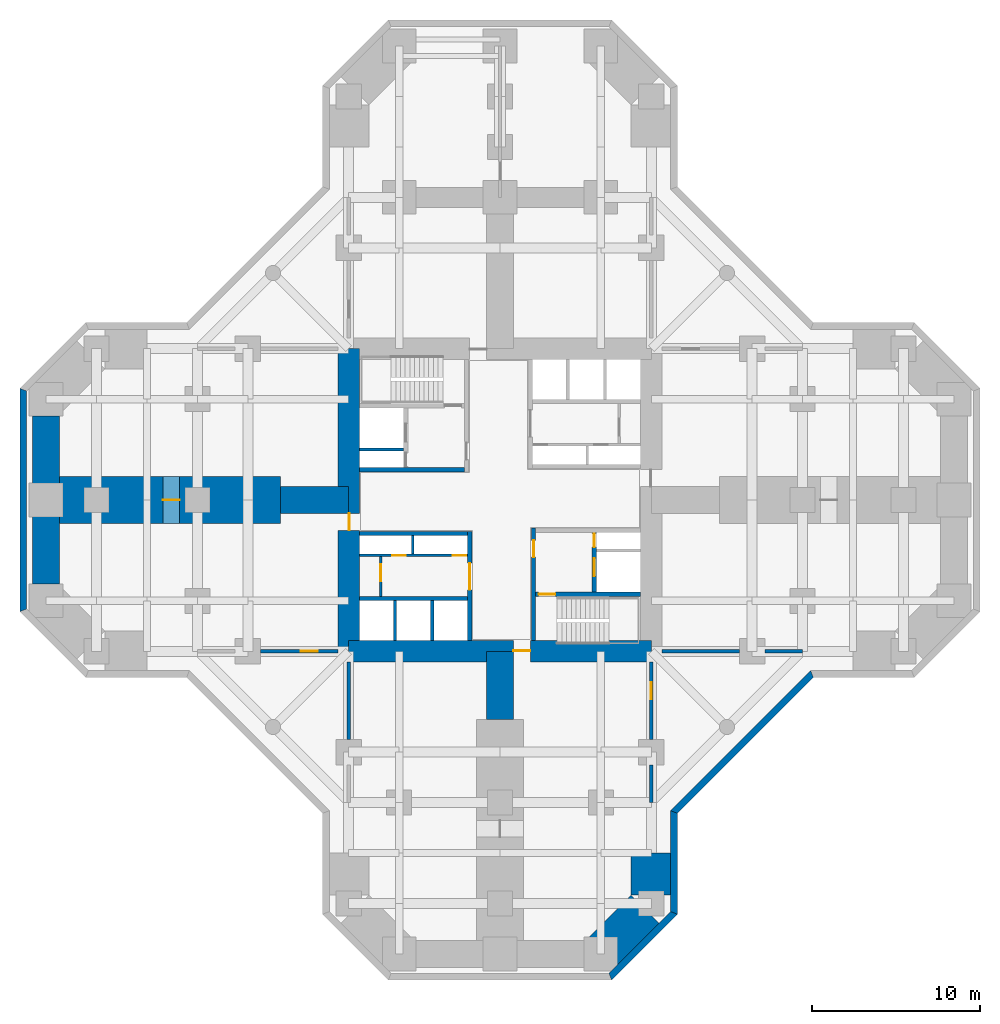
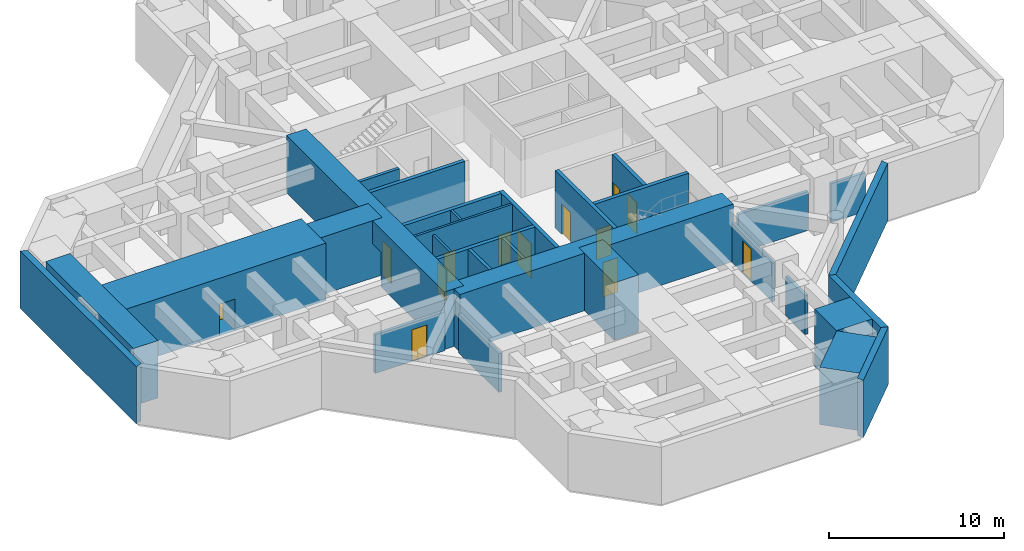
# One storey, part 3 of 6: 31 walls, 13 doors, 13 openings.
"""IFC4 building model written with IfcOpenShell, lengths in metres."""

import ifcopenshell
import ifcopenshell.guid

model = None  # the IFC model being written
_history = None  # IfcOwnerHistory: only IFC2X3 demands one
_inside = {}  # id of a spatial element -> (the spatial element, [elements in it])
_under = {}  # id of a project, library or spatial element -> (it, [spatial elements below it])
_declared = {}  # id of a project -> (the project, [libraries it declares])
_typed = {}  # id of a type object -> (the type object, [elements of that type])
_made_of = {}  # id of a material, layer set ... -> (it, [elements and type objects made of it])


def new_model(schema):
    """Start an empty IFC model of exactly this schema.

    Asked for "IFC4X3", IfcOpenShell would pick the latest addendum, in which some entities
    have other attributes; the version numbers below select the first issue.
    IFC2X3 requires an IfcOwnerHistory on every rooted entity: one is made here for all.
    """
    global model, _history
    if schema == "IFC4X3":
        model = ifcopenshell.file(schema_version=(4, 3, 0, 0))
    else:
        model = ifcopenshell.file(schema=schema)
    _inside.clear()
    _under.clear()
    _declared.clear()
    _typed.clear()
    _made_of.clear()
    _history = None
    if model.schema == "IFC2X3":
        org = make("IfcOrganization", Name="unknown")
        user = make(
            "IfcPersonAndOrganization",
            ThePerson=make("IfcPerson", FamilyName="unknown"),
            TheOrganization=org,
        )
        app = make(
            "IfcApplication",
            ApplicationDeveloper=org,
            Version="unknown",
            ApplicationFullName="unknown",
            ApplicationIdentifier="unknown",
        )
        _history = make(
            "IfcOwnerHistory",
            OwningUser=user,
            OwningApplication=app,
            ChangeAction="ADDED",
            CreationDate=0,
        )
    return model


def make(cls, **values):
    """One entity of the class cls with the attributes given. An attribute that is None is left unset."""
    return model.create_entity(
        cls, **{name: value for name, value in values.items() if value is not None}
    )


def rooted(cls, **values):
    """An entity with a GlobalId (a new one), such as an element, a storey or a relation."""
    return make(cls, GlobalId=ifcopenshell.guid.new(), OwnerHistory=_history, **values)


def si_unit(unit_type, name, prefix=None):
    """IfcSIUnit, for example si_unit("LENGTHUNIT", "METRE", prefix="MILLI")."""
    return make("IfcSIUnit", UnitType=unit_type, Prefix=prefix, Name=name)


def assignment(units):
    """IfcUnitAssignment: the units of a project."""
    return None if units is None else make("IfcUnitAssignment", Units=units)


def point(xyz):
    """IfcCartesianPoint."""
    return None if xyz is None else make("IfcCartesianPoint", Coordinates=xyz)


def direction(xyz):
    """IfcDirection."""
    return None if xyz is None else make("IfcDirection", DirectionRatios=xyz)


def frame(location, z_axis=None, x_axis=None):
    """IfcAxis2Placement3D, a coordinate frame: its origin and axes. An axis left out is left unset."""
    return make(
        "IfcAxis2Placement3D",
        Location=point(location),
        Axis=direction(z_axis),
        RefDirection=direction(x_axis),
    )


def frame_2d(location, x_axis=None):
    """IfcAxis2Placement2D, a coordinate frame in the plane: its origin and x axis."""
    return make(
        "IfcAxis2Placement2D", Location=point(location), RefDirection=direction(x_axis)
    )


def origin():
    """The frame at (0, 0, 0) with its axes left unset."""
    return frame((0.0, 0.0, 0.0))


def place(relative_to, where):
    """IfcLocalPlacement: puts the frame where relative to a parent placement (None: the world)."""
    return make(
        "IfcLocalPlacement", PlacementRelTo=relative_to, RelativePlacement=where
    )


def context(
    kind, dimensions, precision=None, world=None, true_north=None, identifier=None
):
    """IfcGeometricRepresentationContext, for example the 3D "Model" context."""
    return make(
        "IfcGeometricRepresentationContext",
        ContextIdentifier=identifier,
        ContextType=kind,
        CoordinateSpaceDimension=dimensions,
        Precision=precision,
        WorldCoordinateSystem=world,
        TrueNorth=true_north,
    )


def subcontext(parent, identifier, kind, view, scale=None):
    """IfcGeometricRepresentationSubContext, for example "Body" below "Model"."""
    return make(
        "IfcGeometricRepresentationSubContext",
        ContextIdentifier=identifier,
        ContextType=kind,
        ParentContext=parent,
        TargetScale=scale,
        TargetView=view,
    )


def project(units=None, contexts=None):
    """IfcProject with its units and contexts."""
    return rooted(
        "IfcProject",
        Name="project",
        RepresentationContexts=contexts,
        UnitsInContext=assignment(units),
    )


def spatial(cls, under=None, at=None, **own):
    """A site, building, storey or space (cls), placed at a placement, below another one or the project."""
    s = rooted(cls, ObjectPlacement=at, **own)
    if under is not None:
        _under.setdefault(under.id(), (under, []))[1].append(s)
    return s


def polyline(points):
    """IfcPolyline through the points."""
    return make("IfcPolyline", Points=[point(p) for p in points])


def profile(cls, at=None, kind="AREA", **sizes):
    """A parametric profile (cls). Its sizes go by their IFC names, for example OverallWidth=200.0."""
    return make(cls, ProfileType=kind, Position=at, **sizes)


def rectangle(**sizes):
    """IfcRectangleProfileDef."""
    return profile("IfcRectangleProfileDef", **sizes)


def outline(outer, holes=None, kind="AREA"):
    """IfcArbitraryClosedProfileDef: a profile drawn as a closed curve; with holes, ...WithVoids."""
    if holes is None:
        return make("IfcArbitraryClosedProfileDef", ProfileType=kind, OuterCurve=outer)
    return make(
        "IfcArbitraryProfileDefWithVoids",
        ProfileType=kind,
        OuterCurve=outer,
        InnerCurves=holes,
    )


def extrude(swept, where, along, depth):
    """IfcExtrudedAreaSolid: the profile swept, set in the frame where, extruded along a direction by depth."""
    return make(
        "IfcExtrudedAreaSolid",
        SweptArea=swept,
        Position=where,
        ExtrudedDirection=direction(along),
        Depth=depth,
    )


def shape(context_of_items, identifier, shape_type, items):
    """IfcShapeRepresentation: the items that make up one representation, for example the "Body"."""
    return make(
        "IfcShapeRepresentation",
        ContextOfItems=context_of_items,
        RepresentationIdentifier=identifier,
        RepresentationType=shape_type,
        Items=items,
    )


def material(Name=None, Category=None):
    """IfcMaterial."""
    return make("IfcMaterial", Name=Name, Category=Category)


def layer(
    of_material, thickness, ventilated=None, Name=None, Category=None, Priority=None
):
    """IfcMaterialLayer: one layer of a wall or slab, of a material (None: an air gap)."""
    return make(
        "IfcMaterialLayer",
        Material=of_material,
        LayerThickness=thickness,
        IsVentilated=ventilated,
        Name=Name,
        Category=Category,
        Priority=Priority,
    )


def layer_set(layers, Name=None):
    """IfcMaterialLayerSet."""
    return make("IfcMaterialLayerSet", MaterialLayers=layers, LayerSetName=Name)


def constituent(of_material, Name=None, Category=None, fraction=None):
    """IfcMaterialConstituent: one of the materials an element consists of."""
    return make(
        "IfcMaterialConstituent",
        Name=Name,
        Material=of_material,
        Fraction=fraction,
        Category=Category,
    )


def constituent_set(constituents=None, Name=None):
    """IfcMaterialConstituentSet."""
    return make(
        "IfcMaterialConstituentSet", Name=Name, MaterialConstituents=constituents
    )


def made_of(thing, what):
    """Note that an element or type object is made of a material, layer set ...; save() writes the relation."""
    if what is not None:
        _made_of.setdefault(what.id(), (what, []))[1].append(thing)
    return thing


def type_object(cls, material=None, **own):
    """A type object (cls), such as IfcWallType, which elements share."""
    return made_of(rooted(cls, **own), material)


def element(
    cls,
    number,
    at=None,
    inside=None,
    cuts=None,
    type_object=None,
    material=None,
    context=None,
    identifier="Body",
    shape_type=None,
    held_by="IfcProductDefinitionShape",
    body=None,
    shapes=None,
    **own,
):
    """One element of the class cls, such as IfcWall. Its Tag is "e" and its number.

    at: its placement. inside: the storey or other place that contains it. cuts: it is an
    opening in that element (IfcRelVoidsElement). A single representation is given by context,
    identifier, shape_type and body (its items); several are given by shapes. held_by: the class
    of the entity that holds the representations. save() writes the other relations.
    """
    e = rooted(cls, Tag="e%d" % number, ObjectPlacement=at, **own)
    if body is not None:
        shapes = [shape(context, identifier, shape_type, body)]
    if shapes is not None:
        e.Representation = make(held_by, Representations=shapes)
    if inside is not None:
        _inside.setdefault(inside.id(), (inside, []))[1].append(e)
    if cuts is not None:
        rooted(
            "IfcRelVoidsElement", RelatingBuildingElement=cuts, RelatedOpeningElement=e
        )
    if type_object is not None:
        _typed.setdefault(type_object.id(), (type_object, []))[1].append(e)
    return made_of(e, material)


def fill(opening, filler):
    """IfcRelFillsElement: the door or window that sits in an opening."""
    return rooted(
        "IfcRelFillsElement",
        RelatingOpeningElement=opening,
        RelatedBuildingElement=filler,
    )


def aggregate(whole, parts):
    """IfcRelAggregates: a whole, such as a stair, and the parts it consists of."""
    return rooted("IfcRelAggregates", RelatingObject=whole, RelatedObjects=parts)


def save(model, path):
    """Write the relations noted so far, then the file.

    IfcRelAggregates (storeys below a building ...), IfcRelContainedInSpatialStructure (elements
    in a storey), IfcRelDefinesByType, IfcRelAssociatesMaterial and IfcRelDeclares: one each for
    every whole, place, type object, material and project.
    """
    for whole, parts in _under.values():
        aggregate(whole, parts)
    for where, things in _inside.values():
        rooted(
            "IfcRelContainedInSpatialStructure",
            RelatedElements=things,
            RelatingStructure=where,
        )
    for kind, things in _typed.values():
        rooted("IfcRelDefinesByType", RelatedObjects=things, RelatingType=kind)
    for what, things in _made_of.values():
        rooted("IfcRelAssociatesMaterial", RelatedObjects=things, RelatingMaterial=what)
    for by, libraries in _declared.values():
        rooted("IfcRelDeclares", RelatingContext=by, RelatedDefinitions=libraries)
    model.write(path)


model = new_model("IFC4")

# Units and contexts
model_context = context("Model", 3, precision=1e-05, world=origin(), true_north=direction((0.0, 1.0)))
body_context = subcontext(model_context, "Body", "Model", "MODEL_VIEW")
ifc_project = project(units=[si_unit("LENGTHUNIT", "METRE"), si_unit("AREAUNIT", "SQUARE_METRE"), si_unit("VOLUMEUNIT", "CUBIC_METRE"), si_unit("PLANEANGLEUNIT", "RADIAN"), si_unit("MASSUNIT", "GRAM", prefix="KILO")], contexts=[model_context])

# Site, building, storey
site_placement = place(None, origin())
site = spatial("IfcSite", under=ifc_project, at=site_placement, CompositionType="ELEMENT")
building_placement = place(site_placement, origin())
building = spatial("IfcBuilding", under=site, at=building_placement, Name="Torre Cruceta", CompositionType="ELEMENT")
storey_placement = place(building_placement, frame((0.0, 0.0, -4.0)))
storey = spatial("IfcBuildingStorey", under=building, at=storey_placement, Name="B01", CompositionType="ELEMENT", Elevation=-4.0)

# Walls
ifc_material_1 = material(Name="Concrete G60 (fck 60 MPa)", Category="concrete")
ifc_layer_1 = layer(ifc_material_1, 2.39990234375)
ifc_layer_set_1 = layer_set([ifc_layer_1], Name="Concrete G60 (fck 60 MPa)")
wall_type_1 = type_object("IfcWallType", Name="BASEMENT ARM WALL 2400 G60", PredefinedType="SHEAR", material=ifc_layer_set_1)
wall_1_placement = place(storey_placement, frame((9.0, -21.0, 0.0), z_axis=(0.0, 0.0, 1.0), x_axis=(0.0, -1.0, 0.0)))
element("IfcWall", 1, at=wall_1_placement, inside=storey, type_object=wall_type_1, Name="BW1 basement arm wall B01 S L1", PredefinedType="SHEAR", context=body_context, shape_type="SweptSolid", body=[
    extrude(rectangle(XDim=2.5029296875, YDim=2.39990234375, at=frame_2d((1.25146484375, 0.0))), origin(), (0.0, 0.0, 1.0), 4.0),
])
wall_2_placement = place(storey_placement, frame((8.6484375, -24.3515625, 0.0), z_axis=(0.0, 0.0, 1.0), x_axis=(-0.707106781187, -0.707106781187, 0.0)))
element("IfcWall", 2, at=wall_2_placement, inside=storey, type_object=wall_type_1, Name="BW1 basement arm wall B01 S L2", PredefinedType="SHEAR", context=body_context, shape_type="SweptSolid", body=[
    extrude(rectangle(XDim=3.745361328125, YDim=2.39990234375, at=frame_2d((1.87255859375, 0.0))), origin(), (0.0, 0.0, 1.0), 4.0),
])
ifc_material_2 = material(Name="Concrete G45 (fck 45 MPa)", Category="concrete")
ifc_layer_2 = layer(ifc_material_2, 0.39990234375)
ifc_layer_set_2 = layer_set([ifc_layer_2], Name="Concrete G45 (fck 45 MPa)")
wall_type_2 = type_object("IfcWallType", Name="BASEMENT RETAINING WALL 400", PredefinedType="SOLIDWALL", material=ifc_layer_set_2)
wall_3_placement = place(storey_placement, origin())
element("IfcWall", 3, at=wall_3_placement, inside=storey, type_object=wall_type_2, Name="Retaining wall RW1 B01-01", PredefinedType="SOLIDWALL", context=body_context, shape_type="SweptSolid", body=[
    extrude(outline(polyline([(18.476318359375, -10.14990234375), (18.64208984375, -10.550048828125), (10.550048828125, -18.64208984375), (10.14990234375, -18.476318359375), (18.476318359375, -10.14990234375)])), origin(), (0.0, 0.0, 1.0), 4.0),
])
wall_4_placement = place(storey_placement, origin())
element("IfcWall", 4, at=wall_4_placement, inside=storey, type_object=wall_type_2, Name="Retaining wall RW1 B01-02", PredefinedType="SOLIDWALL", context=body_context, shape_type="SweptSolid", body=[
    extrude(outline(polyline([(10.14990234375, -18.476318359375), (10.550048828125, -18.64208984375), (10.550048828125, -24.64208984375), (10.14990234375, -24.476318359375), (10.14990234375, -18.476318359375)])), origin(), (0.0, 0.0, 1.0), 4.0),
])
wall_5_placement = place(storey_placement, origin())
element("IfcWall", 5, at=wall_5_placement, inside=storey, type_object=wall_type_2, Name="Retaining wall RW1 B01-03", PredefinedType="SOLIDWALL", context=body_context, shape_type="SweptSolid", body=[
    extrude(outline(polyline([(10.14990234375, -24.476318359375), (10.550048828125, -24.64208984375), (6.64208984375, -28.550048828125), (6.476318359375, -28.14990234375), (10.14990234375, -24.476318359375)])), origin(), (0.0, 0.0, 1.0), 4.0),
])
wall_6_placement = place(storey_placement, origin())
element("IfcWall", 6, at=wall_6_placement, inside=storey, type_object=wall_type_2, Name="Retaining wall RW1 B01-10", PredefinedType="SOLIDWALL", context=body_context, shape_type="SweptSolid", body=[
    extrude(outline(polyline([(-28.14990234375, -6.476318359375), (-28.550048828125, -6.64208984375), (-28.550048828125, 6.64208984375), (-28.14990234375, 6.476318359375), (-28.14990234375, -6.476318359375)])), origin(), (0.0, 0.0, 1.0), 4.0),
])
ifc_material_3 = material(Name="Concrete G60 (fck 60 MPa)", Category="concrete")
ifc_layer_3 = layer(ifc_material_3, 0.25)
ifc_layer_set_3 = layer_set([ifc_layer_3], Name="Concrete G60 (fck 60 MPa)")
wall_type_3 = type_object("IfcWallType", Name="CORE INNER WALL 250 G60", PredefinedType="SHEAR", material=ifc_layer_set_3)
wall_7_placement = place(storey_placement, frame((-2.125, 1.800048828125, 0.0), z_axis=(0.0, 0.0, 1.0), x_axis=(-1.0, 0.0, 0.0)))
element("IfcWall", 7, at=wall_7_placement, inside=storey, type_object=wall_type_3, Name="CW4 B01 NW-CV", PredefinedType="SHEAR", context=body_context, shape_type="SweptSolid", body=[
    extrude(rectangle(XDim=6.22509765625, YDim=0.25, at=frame_2d((3.112548828125, 0.0))), origin(), (0.0, 0.0, 1.0), 4.0),
])

# Wall, opening, door
wall_8_placement = place(storey_placement, frame((-1.800048828125, -1.875, 0.0), z_axis=(0.0, 0.0, 1.0), x_axis=(0.0, -1.0, 0.0)))
wall_8 = element("IfcWall", 8, at=wall_8_placement, inside=storey, type_object=wall_type_3, Name="CW4 B01 SW-CU", PredefinedType="SHEAR", context=body_context, shape_type="SweptSolid", body=[
    extrude(rectangle(XDim=6.47509765625, YDim=0.25, at=frame_2d((3.237548828125, 0.0))), origin(), (0.0, 0.0, 1.0), 4.0),
])
opening_1_placement = place(wall_8_placement, frame((1.875, 0.0, 0.0)))
opening_1 = element("IfcOpeningElement", 9, at=opening_1_placement, cuts=wall_8, Name="Opening D15", PredefinedType="OPENING", context=body_context, shape_type="SweptSolid", body=[
    extrude(rectangle(XDim=1.60009765625, YDim=2.39990234375, at=frame_2d((0.800048828125, 1.199951171875))), frame((0.0, 0.135009765625, 0.0), z_axis=(0.0, -1.0, 0.0), x_axis=(1.0, 0.0, 0.0)), (0.0, 0.0, 1.0), 0.27001953125),
])
ifc_material_4 = material(Name="Steel DX51D", Category="steel")
ifc_constituent_1 = constituent(ifc_material_4, Name="Leaf and frame")
ifc_material_5 = material(Name="Polyester powder coating", Category="paint")
ifc_constituent_2 = constituent(ifc_material_5, Name="Finish")
ifc_constituent_set_1 = constituent_set(constituents=[ifc_constituent_1, ifc_constituent_2], Name="Steel fire door")
door_type_1 = type_object("IfcDoorType", Name="CORE ROOM DOUBLE DOOR 1600X2400", OperationType="DOUBLE_DOOR_SINGLE_SWING", PredefinedType="DOOR", material=ifc_constituent_set_1)
door_1_placement = place(opening_1_placement, frame((1.60009765625, 0.0, 0.0), z_axis=(0.0, 0.0, 1.0), x_axis=(-1.0, 0.0, 0.0)))
door_1 = element("IfcDoor", 10, at=door_1_placement, inside=storey, type_object=door_type_1, Name="D15 B01 SW-LOBBY", OperationType="DOUBLE_DOOR_SINGLE_SWING", OverallHeight=2.39990234375, OverallWidth=1.60009765625, PredefinedType="DOOR", context=body_context, shape_type="SweptSolid", body=[
    extrude(rectangle(XDim=1.60009765625, YDim=2.39990234375, at=frame_2d((0.800048828125, 1.199951171875))), frame((0.0, 0.025146484375, 0.0), z_axis=(0.0, -1.0, 0.0), x_axis=(1.0, 0.0, 0.0)), (0.0, 0.0, 1.0), 0.050048828125),
])
fill(opening_1, door_1)

# Walls
for number, where, z_axis, x_axis, name in (
    (11, (-1.925048828125, -2.0, 0.0), (0.0, 0.0, 1.0), (-1.0, 0.0, 0.0), "CW4 B01 SW-CV"),
    (12, (-1.925048828125, -5.85009765625, 0.0), (0.0, 0.0, 1.0), (-1.0, 0.0, 0.0), "CW4 B01 SW-LV"),
):
    element("IfcWall", number, at=place(storey_placement, frame(where, z_axis=z_axis, x_axis=x_axis)), inside=storey, type_object=wall_type_3, Name=name, PredefinedType="SHEAR", context=body_context, shape_type="SweptSolid", body=[
        extrude(rectangle(XDim=6.425048828125, YDim=0.25, at=frame_2d((3.21240234375, 0.0))), origin(), (0.0, 0.0, 1.0), 4.0),
    ])

# Wall, opening, door
wall_9_placement = place(storey_placement, frame((2.0, -1.675048828125, 0.0), z_axis=(0.0, 0.0, 1.0), x_axis=(0.0, -1.0, 0.0)))
wall_9 = element("IfcWall", 13, at=wall_9_placement, inside=storey, type_object=wall_type_3, Name="CW4 B01 SE-CU", PredefinedType="SHEAR", context=body_context, shape_type="SweptSolid", body=[
    extrude(rectangle(XDim=6.675048828125, YDim=0.25, at=frame_2d((3.33740234375, 0.0))), origin(), (0.0, 0.0, 1.0), 4.0),
])
opening_2_placement = place(wall_9_placement, frame((0.72509765625, 0.0, 0.0)))
opening_2 = element("IfcOpeningElement", 14, at=opening_2_placement, cuts=wall_9, Name="Opening D3", PredefinedType="OPENING", context=body_context, shape_type="SweptSolid", body=[
    extrude(rectangle(XDim=1.0, YDim=2.10009765625, at=frame_2d((0.5, 1.050048828125))), frame((0.0, 0.135009765625, 0.0), z_axis=(0.0, -1.0, 0.0), x_axis=(1.0, 0.0, 0.0)), (0.0, 0.0, 1.0), 0.27001953125),
])
ifc_material_6 = material(Name="Steel DX51D", Category="steel")
ifc_constituent_3 = constituent(ifc_material_6, Name="Leaf and frame")
ifc_material_7 = material(Name="Polyester powder coating", Category="paint")
ifc_constituent_4 = constituent(ifc_material_7, Name="Finish")
ifc_constituent_set_2 = constituent_set(constituents=[ifc_constituent_3, ifc_constituent_4], Name="Steel fire door")
door_type_2 = type_object("IfcDoorType", Name="FIRE DOOR 1000X2100", OperationType="SINGLE_SWING_LEFT", PredefinedType="DOOR", material=ifc_constituent_set_2)
door_2_placement = place(opening_2_placement, origin())
door_2 = element("IfcDoor", 15, at=door_2_placement, inside=storey, type_object=door_type_2, Name="D3 B01 SE-LOBBY", OperationType="SINGLE_SWING_LEFT", OverallHeight=2.10009765625, OverallWidth=1.0, PredefinedType="DOOR", context=body_context, shape_type="SweptSolid", body=[
    extrude(rectangle(XDim=1.0, YDim=2.10009765625, at=frame_2d((0.5, 1.050048828125))), frame((0.0, 0.02490234375, 0.0), z_axis=(0.0, -1.0, 0.0), x_axis=(1.0, 0.0, 0.0)), (0.0, 0.0, 1.0), 0.050048828125),
])
fill(opening_2, door_2)

wall_10_placement = place(storey_placement, frame((2.125, -5.60009765625, 0.0), z_axis=(0.0, 0.0, 1.0), x_axis=(1.0, 0.0, 0.0)))
wall_10 = element("IfcWall", 16, at=wall_10_placement, inside=storey, type_object=wall_type_3, Name="CW4 B01 SE-SV", PredefinedType="SHEAR", context=body_context, shape_type="SweptSolid", body=[
    extrude(rectangle(XDim=6.22509765625, YDim=0.25, at=frame_2d((3.112548828125, 0.0))), origin(), (0.0, 0.0, 1.0), 4.0),
])
opening_3_placement = place(wall_10_placement, frame((0.175048828125, 0.0, 0.0)))
opening_3 = element("IfcOpeningElement", 17, at=opening_3_placement, cuts=wall_10, Name="Opening D3", PredefinedType="OPENING", context=body_context, shape_type="SweptSolid", body=[
    extrude(rectangle(XDim=1.0, YDim=2.10009765625, at=frame_2d((0.5, 1.050048828125))), frame((0.0, 0.135009765625, 0.0), z_axis=(0.0, -1.0, 0.0), x_axis=(1.0, 0.0, 0.0)), (0.0, 0.0, 1.0), 0.27001953125),
])
door_3_placement = place(opening_3_placement, frame((1.0, 0.0, 0.0), z_axis=(0.0, 0.0, 1.0), x_axis=(-1.0, 0.0, 0.0)))
door_3 = element("IfcDoor", 18, at=door_3_placement, inside=storey, type_object=door_type_2, Name="D3 B01 SE-STAIR", OperationType="SINGLE_SWING_RIGHT", OverallHeight=2.10009765625, OverallWidth=1.0, PredefinedType="DOOR", context=body_context, shape_type="SweptSolid", body=[
    extrude(rectangle(XDim=1.0, YDim=2.10009765625, at=frame_2d((0.5, 1.050048828125))), frame((0.0, 0.025146484375, 0.0), z_axis=(0.0, -1.0, 0.0), x_axis=(1.0, 0.0, 0.0)), (0.0, 0.0, 1.0), 0.050048828125),
])
fill(opening_3, door_3)

# Wall, openings, doors
wall_11_placement = place(storey_placement, frame((5.60009765625, -1.925048828125, 0.0), z_axis=(0.0, 0.0, 1.0), x_axis=(0.0, -1.0, 0.0)))
wall_11 = element("IfcWall", 19, at=wall_11_placement, inside=storey, type_object=wall_type_3, Name="CW4 B01 SE-FU", PredefinedType="SHEAR", context=body_context, shape_type="SweptSolid", body=[
    extrude(rectangle(XDim=3.550048828125, YDim=0.25, at=frame_2d((1.77490234375, 0.0))), origin(), (0.0, 0.0, 1.0), 4.0),
])
opening_4_placement = place(wall_11_placement, frame((1.52490234375, 0.0, 0.0)))
opening_4 = element("IfcOpeningElement", 20, at=opening_4_placement, cuts=wall_11, Name="Opening LD1", PredefinedType="OPENING", context=body_context, shape_type="SweptSolid", body=[
    extrude(rectangle(XDim=1.10009765625, YDim=2.199951171875, at=frame_2d((0.550048828125, 1.10009765625))), frame((0.0, 0.135009765625, 0.0), z_axis=(0.0, -1.0, 0.0), x_axis=(1.0, 0.0, 0.0)), (0.0, 0.0, 1.0), 0.27001953125),
])
opening_5_placement = place(wall_11_placement, frame((0.074951171875, 0.0, 0.0)))
opening_5 = element("IfcOpeningElement", 21, at=opening_5_placement, cuts=wall_11, Name="Opening D5", PredefinedType="OPENING", context=body_context, shape_type="SweptSolid", body=[
    extrude(rectangle(XDim=0.800048828125, YDim=2.10009765625, at=frame_2d((0.39990234375, 1.050048828125))), frame((0.0, 0.135009765625, 0.0), z_axis=(0.0, -1.0, 0.0), x_axis=(1.0, 0.0, 0.0)), (0.0, 0.0, 1.0), 0.27001953125),
])
ifc_material_8 = material(Name="Stainless steel 1.4401", Category="steel")
door_type_3 = type_object("IfcDoorType", Name="LIFT LANDING DOOR 1100X2200", OperationType="DOUBLE_DOOR_SLIDING", PredefinedType="DOOR", material=ifc_material_8)
door_4_placement = place(opening_4_placement, origin())
door_4 = element("IfcDoor", 22, at=door_4_placement, inside=storey, type_object=door_type_3, Name="Lift landing door FL2", OperationType="DOUBLE_DOOR_SLIDING", OverallHeight=2.199951171875, OverallWidth=1.10009765625, PredefinedType="DOOR", context=body_context, shape_type="SweptSolid", body=[
    extrude(rectangle(XDim=1.10009765625, YDim=2.199951171875, at=frame_2d((0.550048828125, 1.10009765625))), frame((0.0, 0.02490234375, 0.0), z_axis=(0.0, -1.0, 0.0), x_axis=(1.0, 0.0, 0.0)), (0.0, 0.0, 1.0), 0.050048828125),
])
fill(opening_4, door_4)
ifc_material_9 = material(Name="Steel DX51D", Category="steel")
ifc_constituent_5 = constituent(ifc_material_9, Name="Leaf and frame")
ifc_material_10 = material(Name="Polyester powder coating", Category="paint")
ifc_constituent_6 = constituent(ifc_material_10, Name="Finish")
ifc_constituent_set_3 = constituent_set(constituents=[ifc_constituent_5, ifc_constituent_6], Name="Steel fire door")
door_type_4 = type_object("IfcDoorType", Name="RISER ACCESS DOOR 800X2100", OperationType="SINGLE_SWING_LEFT", PredefinedType="DOOR", material=ifc_constituent_set_3)
door_5_placement = place(opening_5_placement, origin())
door_5 = element("IfcDoor", 23, at=door_5_placement, inside=storey, type_object=door_type_4, Name="D5 B01 SE-RISER", OperationType="SINGLE_SWING_LEFT", OverallHeight=2.10009765625, OverallWidth=0.800048828125, PredefinedType="DOOR", context=body_context, shape_type="SweptSolid", body=[
    extrude(rectangle(XDim=0.800048828125, YDim=2.10009765625, at=frame_2d((0.39990234375, 1.050048828125))), frame((0.0, 0.02490234375, 0.0), z_axis=(0.0, -1.0, 0.0), x_axis=(1.0, 0.0, 0.0)), (0.0, 0.0, 1.0), 0.050048828125),
])
fill(opening_5, door_5)

# Wall, opening, door
ifc_material_11 = material(Name="Concrete G60 (fck 60 MPa)", Category="concrete")
ifc_layer_4 = layer(ifc_material_11, 1.300048828125)
ifc_layer_set_4 = layer_set([ifc_layer_4], Name="Concrete G60 (fck 60 MPa)")
wall_type_4 = type_object("IfcWallType", Name="CORE WALL 1300 G60", PredefinedType="SHEAR", material=ifc_layer_set_4)
wall_12_placement = place(storey_placement, frame((-9.0, -9.0, 0.0), z_axis=(0.0, 0.0, 1.0), x_axis=(1.0, 0.0, 0.0)))
wall_12 = element("IfcWall", 24, at=wall_12_placement, inside=storey, type_object=wall_type_4, Name="CW1 B01 CW-S", PredefinedType="SHEAR", context=body_context, shape_type="SweptSolid", body=[
    extrude(rectangle(XDim=18.0, YDim=1.300048828125, at=frame_2d((9.0, 0.0))), origin(), (0.0, 0.0, 1.0), 4.0),
])
opening_6_placement = place(wall_12_placement, frame((9.800048828125, 0.0, 0.0)))
opening_6 = element("IfcOpeningElement", 25, at=opening_6_placement, cuts=wall_12, Name="Opening D4", PredefinedType="OPENING", context=body_context, shape_type="SweptSolid", body=[
    extrude(rectangle(XDim=1.0, YDim=2.39990234375, at=frame_2d((0.5, 1.199951171875))), frame((0.0, 0.659912109375, 0.0), z_axis=(0.0, -1.0, 0.0), x_axis=(1.0, 0.0, 0.0)), (0.0, 0.0, 1.0), 1.320068359375),
])
ifc_material_12 = material(Name="Steel DX51D", Category="steel")
ifc_constituent_7 = constituent(ifc_material_12, Name="Leaf and frame")
ifc_material_13 = material(Name="Polyester powder coating", Category="paint")
ifc_constituent_8 = constituent(ifc_material_13, Name="Finish")
ifc_constituent_set_4 = constituent_set(constituents=[ifc_constituent_7, ifc_constituent_8], Name="Steel fire door")
door_type_5 = type_object("IfcDoorType", Name="CORE ARM DOOR 1000X2400", OperationType="SINGLE_SWING_RIGHT", PredefinedType="DOOR", material=ifc_constituent_set_4)
door_6_placement = place(opening_6_placement, frame((1.0, 0.0, 0.0), z_axis=(0.0, 0.0, 1.0), x_axis=(-1.0, 0.0, 0.0)))
door_6 = element("IfcDoor", 26, at=door_6_placement, inside=storey, type_object=door_type_5, Name="D4 B01 CW-S", OperationType="SINGLE_SWING_RIGHT", OverallHeight=2.39990234375, OverallWidth=1.0, PredefinedType="DOOR", context=body_context, shape_type="SweptSolid", body=[
    extrude(rectangle(XDim=1.0, YDim=2.39990234375, at=frame_2d((0.5, 1.199951171875))), frame((0.0, -0.005126953125, 0.0), z_axis=(0.0, -1.0, 0.0), x_axis=(1.0, 0.0, 0.0)), (0.0, 0.0, 1.0), 0.050048828125),
])
fill(opening_6, door_6)

wall_13_placement = place(storey_placement, frame((-9.0, 9.0, 0.0), z_axis=(0.0, 0.0, 1.0), x_axis=(0.0, -1.0, 0.0)))
wall_13 = element("IfcWall", 27, at=wall_13_placement, inside=storey, type_object=wall_type_4, Name="CW1 B01 CW-W", PredefinedType="SHEAR", context=body_context, shape_type="SweptSolid", body=[
    extrude(rectangle(XDim=18.0, YDim=1.300048828125, at=frame_2d((9.0, 0.0))), origin(), (0.0, 0.0, 1.0), 4.0),
])
opening_7_placement = place(wall_13_placement, frame((9.800048828125, 0.0, 0.0)))
opening_7 = element("IfcOpeningElement", 28, at=opening_7_placement, cuts=wall_13, Name="Opening D4", PredefinedType="OPENING", context=body_context, shape_type="SweptSolid", body=[
    extrude(rectangle(XDim=1.0, YDim=2.39990234375, at=frame_2d((0.5, 1.199951171875))), frame((0.0, 0.659912109375, 0.0), z_axis=(0.0, -1.0, 0.0), x_axis=(1.0, 0.0, 0.0)), (0.0, 0.0, 1.0), 1.320068359375),
])
door_7_placement = place(opening_7_placement, frame((1.0, 0.0, 0.0), z_axis=(0.0, 0.0, 1.0), x_axis=(-1.0, 0.0, 0.0)))
door_7 = element("IfcDoor", 29, at=door_7_placement, inside=storey, type_object=door_type_5, Name="D4 B01 CW-W", OperationType="SINGLE_SWING_RIGHT", OverallHeight=2.39990234375, OverallWidth=1.0, PredefinedType="DOOR", context=body_context, shape_type="SweptSolid", body=[
    extrude(rectangle(XDim=1.0, YDim=2.39990234375, at=frame_2d((0.5, 1.199951171875))), frame((0.0, -0.005126953125, 0.0), z_axis=(0.0, -1.0, 0.0), x_axis=(1.0, 0.0, 0.0)), (0.0, 0.0, 1.0), 0.050048828125),
])
fill(opening_7, door_7)

# Walls
ifc_material_14 = material(Name="Concrete G35 (fck 35 MPa)", Category="concrete")
ifc_layer_5 = layer(ifc_material_14, 0.199951171875)
ifc_layer_set_5 = layer_set([ifc_layer_5], Name="Concrete G35 (fck 35 MPa)")
wall_type_5 = type_object("IfcWallType", Name="LIFT SHAFT WALL 200", PredefinedType="PARTITIONING", material=ifc_layer_set_5)
wall_14_placement = place(storey_placement, frame((-5.72509765625, 3.0, 0.0), z_axis=(0.0, 0.0, 1.0), x_axis=(-1.0, 0.0, 0.0)))
element("IfcWall", 30, at=wall_14_placement, inside=storey, type_object=wall_type_5, Name="SW1 B01 NW-FR", PredefinedType="PARTITIONING", context=body_context, shape_type="SweptSolid", body=[
    extrude(rectangle(XDim=2.625, YDim=0.199951171875, at=frame_2d((1.3125, 0.0))), origin(), (0.0, 0.0, 1.0), 4.0),
])
for number, where, z_axis, x_axis, name in (
    (31, (-4.033447265625, -5.97509765625, 0.0), (0.0, 0.0, 1.0), (0.0, -1.0, 0.0), "SW1 B01 SW-LS1"),
    (32, (-6.24169921875, -5.97509765625, 0.0), (0.0, 0.0, 1.0), (0.0, -1.0, 0.0), "SW1 B01 SW-LS2"),
):
    element("IfcWall", number, at=place(storey_placement, frame(where, z_axis=z_axis, x_axis=x_axis)), inside=storey, type_object=wall_type_5, Name=name, PredefinedType="PARTITIONING", context=body_context, shape_type="SweptSolid", body=[
        extrude(rectangle(XDim=2.375, YDim=0.199951171875, at=frame_2d((1.1875, 0.0))), origin(), (0.0, 0.0, 1.0), 4.0),
    ])
ifc_material_15 = material(Name="Concrete G60 (fck 60 MPa)", Category="concrete")
ifc_layer_6 = layer(ifc_material_15, 1.60009765625)
ifc_layer_set_6 = layer_set([ifc_layer_6], Name="Concrete G60 (fck 60 MPa)")
wall_type_6 = type_object("IfcWallType", Name="NOSE WALL 1600 G60", PredefinedType="SHEAR", material=ifc_layer_set_6)
wall_15_placement = place(storey_placement, frame((-27.0, 5.0, 0.0), z_axis=(0.0, 0.0, 1.0), x_axis=(0.0, -1.0, 0.0)))
element("IfcWall", 33, at=wall_15_placement, inside=storey, type_object=wall_type_6, Name="NW0 nose wall B01 W", PredefinedType="SHEAR", context=body_context, shape_type="SweptSolid", body=[
    extrude(rectangle(XDim=10.0, YDim=1.60009765625, at=frame_2d((5.0, 0.0))), origin(), (0.0, 0.0, 1.0), 4.0),
])

# Wall, opening, door
ifc_material_16 = material(Name="Plasterboard on steel studs", Category="steel")
ifc_layer_7 = layer(ifc_material_16, 0.14990234375)
ifc_layer_set_7 = layer_set([ifc_layer_7], Name="Plasterboard on steel studs")
wall_type_7 = type_object("IfcWallType", Name="PARTITION 150", PredefinedType="PARTITIONING", material=ifc_layer_set_7)
wall_16_placement = place(storey_placement, frame((-7.10009765625, -3.375, 0.0), z_axis=(0.0, 0.0, 1.0), x_axis=(0.0, -1.0, 0.0)))
wall_16 = element("IfcWall", 34, at=wall_16_placement, inside=storey, type_object=wall_type_7, Name="PT1 B01-CORE-SW-X", PredefinedType="PARTITIONING", context=body_context, shape_type="SweptSolid", body=[
    extrude(rectangle(XDim=2.35009765625, YDim=0.14990234375, at=frame_2d((1.175048828125, 0.0))), origin(), (0.0, 0.0, 1.0), 3.699951171875),
])
opening_8_placement = place(wall_16_placement, frame((0.449951171875, 0.0, 0.0)))
opening_8 = element("IfcOpeningElement", 35, at=opening_8_placement, cuts=wall_16, Name="Opening D3", PredefinedType="OPENING", context=body_context, shape_type="SweptSolid", body=[
    extrude(rectangle(XDim=1.0, YDim=2.10009765625, at=frame_2d((0.5, 1.050048828125))), frame((0.0, 0.0849609375, 0.0), z_axis=(0.0, -1.0, 0.0), x_axis=(1.0, 0.0, 0.0)), (0.0, 0.0, 1.0), 0.169921875),
])
door_8_placement = place(opening_8_placement, frame((1.0, 0.0, 0.0), z_axis=(0.0, 0.0, 1.0), x_axis=(-1.0, 0.0, 0.0)))
door_8 = element("IfcDoor", 36, at=door_8_placement, inside=storey, type_object=door_type_2, Name="D3 B01-CORE-SW-X-D1", OperationType="SINGLE_SWING_RIGHT", OverallHeight=2.10009765625, OverallWidth=1.0, PredefinedType="DOOR", context=body_context, shape_type="SweptSolid", body=[
    extrude(rectangle(XDim=1.0, YDim=2.10009765625, at=frame_2d((0.5, 1.050048828125))), frame((0.0, 0.025146484375, 0.0), z_axis=(0.0, -1.0, 0.0), x_axis=(1.0, 0.0, 0.0)), (0.0, 0.0, 1.0), 0.050048828125),
])
fill(opening_8, door_8)

# Wall, openings, doors
ifc_material_17 = material(Name="Concrete block masonry", Category="masonry")
ifc_layer_8 = layer(ifc_material_17, 0.14990234375)
ifc_layer_set_8 = layer_set([ifc_layer_8], Name="Concrete block masonry")
wall_type_8 = type_object("IfcWallType", Name="RISER WALL 150", PredefinedType="PARTITIONING", material=ifc_layer_set_8)
wall_17_placement = place(storey_placement, frame((-1.925048828125, -3.300048828125, 0.0), z_axis=(0.0, 0.0, 1.0), x_axis=(-1.0, 0.0, 0.0)))
wall_17 = element("IfcWall", 37, at=wall_17_placement, inside=storey, type_object=wall_type_8, Name="SW7 B01 SW-RV", PredefinedType="PARTITIONING", context=body_context, shape_type="SweptSolid", body=[
    extrude(rectangle(XDim=6.425048828125, YDim=0.14990234375, at=frame_2d((3.21240234375, 0.0))), origin(), (0.0, 0.0, 1.0), 4.0),
])
opening_9_placement = place(wall_17_placement, frame((0.074951171875, 0.0, 0.0)))
opening_9 = element("IfcOpeningElement", 38, at=opening_9_placement, cuts=wall_17, Name="Opening D5", PredefinedType="OPENING", context=body_context, shape_type="SweptSolid", body=[
    extrude(rectangle(XDim=0.800048828125, YDim=2.10009765625, at=frame_2d((0.39990234375, 1.050048828125))), frame((0.0, 0.0849609375, 0.0), z_axis=(0.0, -1.0, 0.0), x_axis=(1.0, 0.0, 0.0)), (0.0, 0.0, 1.0), 0.169921875),
])
opening_10_placement = place(wall_17_placement, frame((3.675048828125, 0.0, 0.0)))
opening_10 = element("IfcOpeningElement", 39, at=opening_10_placement, cuts=wall_17, Name="Opening D5", PredefinedType="OPENING", context=body_context, shape_type="SweptSolid", body=[
    extrude(rectangle(XDim=0.800048828125, YDim=2.10009765625, at=frame_2d((0.39990234375, 1.050048828125))), frame((0.0, 0.0849609375, 0.0), z_axis=(0.0, -1.0, 0.0), x_axis=(1.0, 0.0, 0.0)), (0.0, 0.0, 1.0), 0.169921875),
])
door_9_placement = place(opening_9_placement, frame((0.800048828125, 0.0, 0.0), z_axis=(0.0, 0.0, 1.0), x_axis=(-1.0, 0.0, 0.0)))
door_9 = element("IfcDoor", 40, at=door_9_placement, inside=storey, type_object=door_type_4, Name="D5 B01 SW-RISER1", OperationType="SINGLE_SWING_RIGHT", OverallHeight=2.10009765625, OverallWidth=0.800048828125, PredefinedType="DOOR", context=body_context, shape_type="SweptSolid", body=[
    extrude(rectangle(XDim=0.800048828125, YDim=2.10009765625, at=frame_2d((0.400146484375, 1.050048828125))), frame((0.0, 0.025146484375, 0.0), z_axis=(0.0, -1.0, 0.0), x_axis=(1.0, 0.0, 0.0)), (0.0, 0.0, 1.0), 0.050048828125),
])
fill(opening_9, door_9)
door_10_placement = place(opening_10_placement, frame((0.800048828125, 0.0, 0.0), z_axis=(0.0, 0.0, 1.0), x_axis=(-1.0, 0.0, 0.0)))
door_10 = element("IfcDoor", 41, at=door_10_placement, inside=storey, type_object=door_type_4, Name="D5 B01 SW-RISER2", OperationType="SINGLE_SWING_RIGHT", OverallHeight=2.10009765625, OverallWidth=0.800048828125, PredefinedType="DOOR", context=body_context, shape_type="SweptSolid", body=[
    extrude(rectangle(XDim=0.800048828125, YDim=2.10009765625, at=frame_2d((0.400146484375, 1.050048828125))), frame((0.0, 0.025146484375, 0.0), z_axis=(0.0, -1.0, 0.0), x_axis=(1.0, 0.0, 0.0)), (0.0, 0.0, 1.0), 0.050048828125),
])
fill(opening_10, door_10)

# Walls
wall_18_placement = place(storey_placement, frame((-5.199951171875, -2.125, 0.0), z_axis=(0.0, 0.0, 1.0), x_axis=(0.0, -1.0, 0.0)))
element("IfcWall", 42, at=wall_18_placement, inside=storey, type_object=wall_type_8, Name="SW7 B01 SW-RU", PredefinedType="PARTITIONING", context=body_context, shape_type="SweptSolid", body=[
    extrude(rectangle(XDim=1.10009765625, YDim=0.14990234375, at=frame_2d((0.550048828125, 0.0))), origin(), (0.0, 0.0, 1.0), 4.0),
])
ifc_material_18 = material(Name="Concrete G60 (fck 60 MPa)", Category="concrete")
ifc_layer_9 = layer(ifc_material_18, 1.60009765625)
ifc_layer_set_9 = layer_set([ifc_layer_9], Name="Concrete G60 (fck 60 MPa)")
wall_type_9 = type_object("IfcWallType", Name="SPINE WALL 1600 G60", PredefinedType="SHEAR", material=ifc_layer_set_9)
for number, where, z_axis, x_axis, name in (
    (43, (0.0, -9.0, 0.0), (0.0, 0.0, 1.0), (0.0, -1.0, 0.0), "SW2 spine wall root B01 S"),
    (44, (-9.0, 0.0, 0.0), (0.0, 0.0, 1.0), (-1.0, 0.0, 0.0), "SW2 spine wall root B01 W"),
):
    element("IfcWall", number, at=place(storey_placement, frame(where, z_axis=z_axis, x_axis=x_axis)), inside=storey, type_object=wall_type_9, Name=name, PredefinedType="SHEAR", context=body_context, shape_type="SweptSolid", body=[
        extrude(rectangle(XDim=4.050048828125, YDim=1.60009765625, at=frame_2d((2.02490234375, 0.0))), origin(), (0.0, 0.0, 1.0), 4.0),
    ])

# Wall, opening, door
ifc_material_19 = material(Name="Concrete G60 (fck 60 MPa)", Category="concrete")
ifc_layer_10 = layer(ifc_material_19, 2.800048828125)
ifc_layer_set_10 = layer_set([ifc_layer_10], Name="Concrete G60 (fck 60 MPa)")
wall_type_10 = type_object("IfcWallType", Name="SPINE WALL 2800 G60", PredefinedType="SHEAR", material=ifc_layer_set_10)
wall_19_placement = place(storey_placement, frame((-13.050048828125, 0.0, 0.0), z_axis=(0.0, 0.0, 1.0), x_axis=(-1.0, 0.0, 0.0)))
wall_19 = element("IfcWall", 45, at=wall_19_placement, inside=storey, type_object=wall_type_10, Name="SW8 spine wall B01 W", PredefinedType="SHEAR", context=body_context, shape_type="SweptSolid", body=[
    extrude(rectangle(XDim=13.949951171875, YDim=2.800048828125, at=frame_2d((6.97509765625, 0.0))), origin(), (0.0, 0.0, 1.0), 4.0),
])
opening_11_placement = place(wall_19_placement, frame((6.0, 0.0, 0.0)))
opening_11 = element("IfcOpeningElement", 46, at=opening_11_placement, cuts=wall_19, Name="Opening D14", PredefinedType="OPENING", context=body_context, shape_type="SweptSolid", body=[
    extrude(rectangle(XDim=1.0, YDim=2.199951171875, at=frame_2d((0.5, 1.10009765625))), frame((0.0, 1.409912109375, 0.0), z_axis=(0.0, -1.0, 0.0), x_axis=(1.0, 0.0, 0.0)), (0.0, 0.0, 1.0), 2.820068359375),
])
ifc_material_20 = material(Name="Steel DX51D", Category="steel")
ifc_constituent_9 = constituent(ifc_material_20, Name="Leaf and frame")
ifc_material_21 = material(Name="Polyester powder coating", Category="paint")
ifc_constituent_10 = constituent(ifc_material_21, Name="Finish")
ifc_material_22 = material(Name="Fire-resisting glass", Category="glass")
ifc_constituent_11 = constituent(ifc_material_22, Name="Vision panel")
ifc_constituent_set_5 = constituent_set(constituents=[ifc_constituent_9, ifc_constituent_10, ifc_constituent_11], Name="Steel fire door with vision panel")
door_type_6 = type_object("IfcDoorType", Name="FIRE DOOR VISION PANEL 1000X2200", OperationType="SINGLE_SWING_RIGHT", PredefinedType="DOOR", material=ifc_constituent_set_5)
door_11_placement = place(opening_11_placement, frame((1.0, 0.0, 0.0), z_axis=(0.0, 0.0, 1.0), x_axis=(-1.0, 0.0, 0.0)))
door_11 = element("IfcDoor", 47, at=door_11_placement, inside=storey, type_object=door_type_6, Name="D14 B01-W-SP1", OperationType="SINGLE_SWING_LEFT", OverallHeight=2.199951171875, OverallWidth=1.0, PredefinedType="DOOR", context=body_context, shape_type="SweptSolid", body=[
    extrude(rectangle(XDim=1.0, YDim=2.199951171875, at=frame_2d((0.5, 1.10009765625))), frame((0.0, 0.025146484375, 0.0), z_axis=(0.0, -1.0, 0.0), x_axis=(1.0, 0.0, 0.0)), (0.0, 0.0, 1.0), 0.050048828125),
])
fill(opening_11, door_11)

ifc_material_23 = material(Name="Concrete G25 (fck 25 MPa)", Category="concrete")
ifc_layer_11 = layer(ifc_material_23, 0.199951171875)
ifc_layer_set_11 = layer_set([ifc_layer_11], Name="Concrete G25 (fck 25 MPa)")
wall_type_11 = type_object("IfcWallType", Name="WING SEPARATING WALL 200", PredefinedType="SOLIDWALL", material=ifc_layer_set_11)
wall_20_placement = place(storey_placement, frame((9.0, -9.64990234375, 0.0), z_axis=(0.0, 0.0, 1.0), x_axis=(0.0, -1.0, 0.0)))
wall_20 = element("IfcWall", 48, at=wall_20_placement, inside=storey, type_object=wall_type_11, Name="PT6 B01-WING-S-A1", PredefinedType="SOLIDWALL", context=body_context, shape_type="SweptSolid", body=[
    extrude(rectangle(XDim=4.60009765625, YDim=0.199951171875, at=frame_2d((2.300048828125, 0.0))), origin(), (0.0, 0.0, 1.0), 2.699951171875),
])
opening_12_placement = place(wall_20_placement, frame((1.199951171875, 0.0, 0.0)))
opening_12 = element("IfcOpeningElement", 49, at=opening_12_placement, cuts=wall_20, Name="Opening D14", PredefinedType="OPENING", context=body_context, shape_type="SweptSolid", body=[
    extrude(rectangle(XDim=1.0, YDim=2.199951171875, at=frame_2d((0.5, 1.10009765625))), frame((0.0, 0.10986328125, 0.0), z_axis=(0.0, -1.0, 0.0), x_axis=(1.0, 0.0, 0.0)), (0.0, 0.0, 1.0), 0.219970703125),
])
door_12_placement = place(opening_12_placement, origin())
door_12 = element("IfcDoor", 50, at=door_12_placement, inside=storey, type_object=door_type_6, Name="D14 B01-WING-S-A1-D1", OperationType="SINGLE_SWING_LEFT", OverallHeight=2.199951171875, OverallWidth=1.0, PredefinedType="DOOR", context=body_context, shape_type="SweptSolid", body=[
    extrude(rectangle(XDim=1.0, YDim=2.199951171875, at=frame_2d((0.5, 1.10009765625))), frame((0.0, 0.02490234375, 0.0), z_axis=(0.0, -1.0, 0.0), x_axis=(1.0, 0.0, 0.0)), (0.0, 0.0, 1.0), 0.050048828125),
])
fill(opening_12, door_12)

# Walls
wall_21_placement = place(storey_placement, frame((9.0, -15.75, 0.0), z_axis=(0.0, 0.0, 1.0), x_axis=(0.0, -1.0, 0.0)))
element("IfcWall", 51, at=wall_21_placement, inside=storey, type_object=wall_type_11, Name="PT6 B01-WING-S-A2", PredefinedType="SOLIDWALL", context=body_context, shape_type="SweptSolid", body=[
    extrude(rectangle(XDim=2.25, YDim=0.199951171875, at=frame_2d((1.125, 0.0))), origin(), (0.0, 0.0, 1.0), 2.699951171875),
])
wall_22_placement = place(storey_placement, frame((14.25, -9.0, 0.0), z_axis=(0.0, 0.0, 1.0), x_axis=(-1.0, 0.0, 0.0)))
element("IfcWall", 52, at=wall_22_placement, inside=storey, type_object=wall_type_11, Name="PT6 B01-WING-S-B1", PredefinedType="SOLIDWALL", context=body_context, shape_type="SweptSolid", body=[
    extrude(rectangle(XDim=4.60009765625, YDim=0.199951171875, at=frame_2d((2.300048828125, 0.0))), origin(), (0.0, 0.0, 1.0), 2.699951171875),
])
wall_23_placement = place(storey_placement, frame((18.0, -9.0, 0.0), z_axis=(0.0, 0.0, 1.0), x_axis=(-1.0, 0.0, 0.0)))
element("IfcWall", 53, at=wall_23_placement, inside=storey, type_object=wall_type_11, Name="PT6 B01-WING-S-B2", PredefinedType="SOLIDWALL", context=body_context, shape_type="SweptSolid", body=[
    extrude(rectangle(XDim=2.25, YDim=0.199951171875, at=frame_2d((1.125, 0.0))), origin(), (0.0, 0.0, 1.0), 2.699951171875),
])

# Wall, opening, door
wall_24_placement = place(storey_placement, frame((-9.64990234375, -9.0, 0.0), z_axis=(0.0, 0.0, 1.0), x_axis=(-1.0, 0.0, 0.0)))
wall_24 = element("IfcWall", 54, at=wall_24_placement, inside=storey, type_object=wall_type_11, Name="PT6 B01-WING-W-A1", PredefinedType="SOLIDWALL", context=body_context, shape_type="SweptSolid", body=[
    extrude(rectangle(XDim=4.60009765625, YDim=0.199951171875, at=frame_2d((2.300048828125, 0.0))), origin(), (0.0, 0.0, 1.0), 2.699951171875),
])
opening_13_placement = place(wall_24_placement, frame((1.199951171875, 0.0, 0.0)))
opening_13 = element("IfcOpeningElement", 55, at=opening_13_placement, cuts=wall_24, Name="Opening D14", PredefinedType="OPENING", context=body_context, shape_type="SweptSolid", body=[
    extrude(rectangle(XDim=1.0, YDim=2.199951171875, at=frame_2d((0.5, 1.10009765625))), frame((0.0, 0.10986328125, 0.0), z_axis=(0.0, -1.0, 0.0), x_axis=(1.0, 0.0, 0.0)), (0.0, 0.0, 1.0), 0.219970703125),
])
door_13_placement = place(opening_13_placement, origin())
door_13 = element("IfcDoor", 56, at=door_13_placement, inside=storey, type_object=door_type_6, Name="D14 B01-WING-W-A1-D1", OperationType="SINGLE_SWING_LEFT", OverallHeight=2.199951171875, OverallWidth=1.0, PredefinedType="DOOR", context=body_context, shape_type="SweptSolid", body=[
    extrude(rectangle(XDim=1.0, YDim=2.199951171875, at=frame_2d((0.5, 1.10009765625))), frame((0.0, 0.02490234375, 0.0), z_axis=(0.0, -1.0, 0.0), x_axis=(1.0, 0.0, 0.0)), (0.0, 0.0, 1.0), 0.050048828125),
])
fill(opening_13, door_13)

# Wall
wall_25_placement = place(storey_placement, frame((-9.0, -14.25, 0.0), z_axis=(0.0, 0.0, 1.0), x_axis=(0.0, 1.0, 0.0)))
element("IfcWall", 57, at=wall_25_placement, inside=storey, type_object=wall_type_11, Name="PT6 B01-WING-W-B1", PredefinedType="SOLIDWALL", context=body_context, shape_type="SweptSolid", body=[
    extrude(rectangle(XDim=4.60009765625, YDim=0.199951171875, at=frame_2d((2.300048828125, 0.0))), origin(), (0.0, 0.0, 1.0), 2.699951171875),
])

save(model, "model.ifc")
